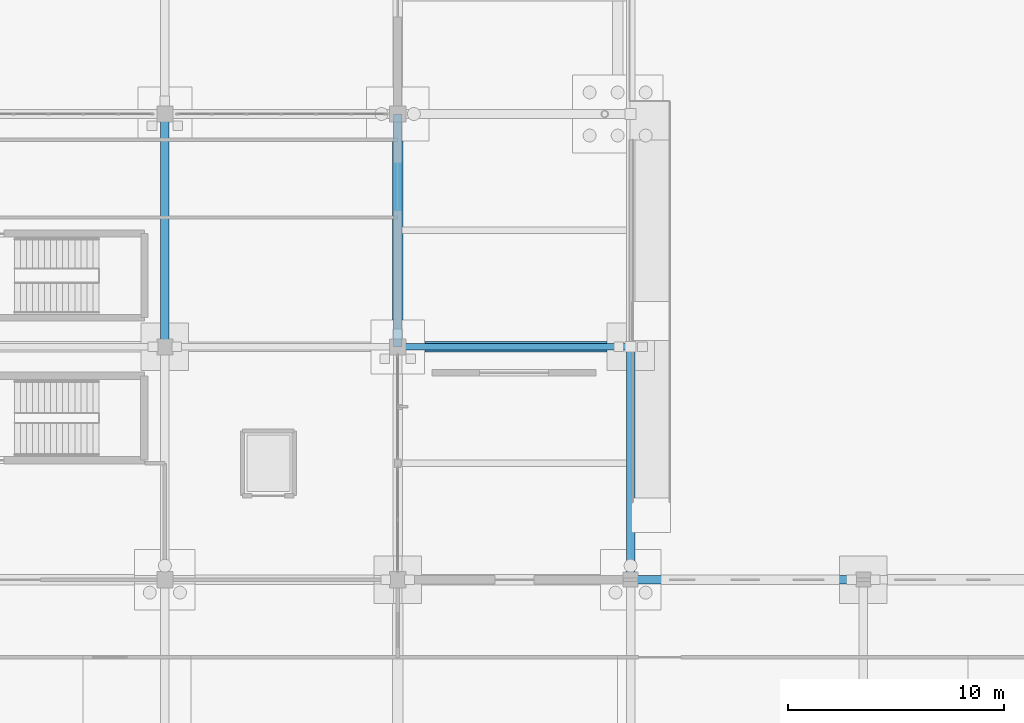
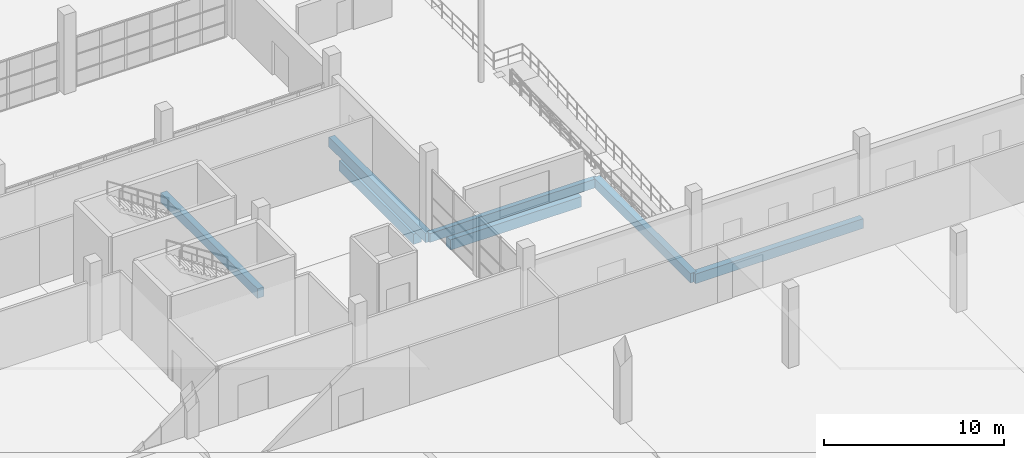
# One storey, part 66 of 138: 7 beams.
"""IFC4 building model written with IfcOpenShell, lengths in metres."""

from ifc_helpers import new_model, si_unit, direction, frame, origin, origin_2d, place, context, subcontext, project, spatial, rectangle, extrude, material, material_profile, profile_set, type_object, element, save


model = new_model("IFC4")

# Units and contexts
model_context = context("Model", 3, precision=1e-05, world=origin(), true_north=direction((0.0, 1.0)))
body_context = subcontext(model_context, "Body", "Model", "MODEL_VIEW")
ifc_project = project(units=[si_unit("LENGTHUNIT", "METRE"), si_unit("AREAUNIT", "SQUARE_METRE"), si_unit("VOLUMEUNIT", "CUBIC_METRE"), si_unit("PLANEANGLEUNIT", "RADIAN"), si_unit("MASSUNIT", "GRAM", prefix="KILO")], contexts=[model_context])

# Site, building, storey
site_placement = place(None, origin())
site = spatial("IfcSite", under=ifc_project, at=site_placement, CompositionType="ELEMENT")
building_placement = place(site_placement, origin())
building = spatial("IfcBuilding", under=site, at=building_placement, Name="Zwinboog Wholesale Market", CompositionType="ELEMENT")
storey_placement = place(building_placement, origin())
storey = spatial("IfcBuildingStorey", under=building, at=storey_placement, Name="L00", CompositionType="ELEMENT", Elevation=0.0)

# Beams
ifc_material_1 = material(Name="Precast concrete C45/55", Category="concrete")
ifc_material_profile_1 = material_profile(ifc_material_1, rectangle(XDim=0.39990234375, YDim=0.64990234375, at=origin_2d()), Name="PC 400x650")
ifc_profile_set_1 = profile_set([ifc_material_profile_1], Name="Precast concrete C45/55")
beam_type_1 = type_object("IfcBeamType", Name="BT-05", PredefinedType="BEAM", material=ifc_profile_set_1)
beam_1_placement = place(storey_placement, frame((183.60009765625, 32.39990234375, -0.680908203125), z_axis=(1.0, 0.0, 0.0), x_axis=(0.0, 1.0, 0.0)))
element("IfcBeam", 1, at=beam_1_placement, inside=storey, type_object=beam_type_1, Name="BG-05 (BMG-L00-1836-0324-0052)", PredefinedType="BEAM", context=body_context, shape_type="SweptSolid", body=[
    extrude(rectangle(XDim=0.39990234375, YDim=0.64990234375, at=origin_2d()), origin(), (0.0, 0.0, 1.0), 10.7998046875),
])
for number, where, z_axis, x_axis, name in (
    (2, (162.0, 43.199951171875, -0.719970703125), (0.0, 1.0, 0.0), (-1.0, 0.0, 0.0), "BG-05 (BMG-L00-1620-0432-0369)"),
    (3, (172.800048828125, 43.199951171875, -0.719970703125), (0.0, 1.0, 0.0), (-1.0, 0.0, 0.0), "BG-05 (BMG-L00-1728-0432-0381)"),
    (4, (183.60009765625, 32.39990234375, -0.680908203125), (0.0, 1.0, 0.0), (-1.0, 0.0, 0.0), "BG-05 (BM-TER-L00-0024)"),
):
    element("IfcBeam", number, at=place(storey_placement, frame(where, z_axis=z_axis, x_axis=x_axis)), inside=storey, type_object=beam_type_1, Name=name, PredefinedType="BEAM", context=body_context, shape_type="SweptSolid", body=[
        extrude(rectangle(XDim=0.39990234375, YDim=0.64990234375, at=origin_2d()), origin(), (0.0, 0.0, 1.0), 10.800048828125),
    ])
ifc_material_profile_2 = material_profile(ifc_material_1, rectangle(XDim=0.300048828125, YDim=0.60009765625, at=origin_2d()), Name="PC 300x600")
ifc_profile_set_2 = profile_set([ifc_material_profile_2], Name="Precast concrete C45/55")
beam_type_2 = type_object("IfcBeamType", Name="BT-09", PredefinedType="SPANDREL", material=ifc_profile_set_2)
beam_2_placement = place(storey_placement, frame((172.800048828125, 43.199951171875, -0.695068359375), z_axis=(1.0, 0.0, 0.0), x_axis=(0.0, 1.0, 0.0)))
element("IfcBeam", 5, at=beam_2_placement, inside=storey, type_object=beam_type_2, Name="SP-02 (BM-TER-L00-0009)", PredefinedType="SPANDREL", context=body_context, shape_type="SweptSolid", body=[
    extrude(rectangle(XDim=0.300048828125, YDim=0.60009765625, at=origin_2d()), origin(), (0.0, 0.0, 1.0), 10.800048828125),
])
ifc_material_2 = material(Name="Concrete C35/45", Category="concrete")
ifc_material_profile_3 = material_profile(ifc_material_2, rectangle(XDim=0.5, YDim=0.699951171875, at=origin_2d()), Name="RC 500x700")
ifc_profile_set_3 = profile_set([ifc_material_profile_3], Name="Concrete C35/45")
beam_type_3 = type_object("IfcBeamType", Name="BT-12", PredefinedType="USERDEFINED", material=ifc_profile_set_3)
beam_3_placement = place(storey_placement, frame((174.054931640625, 43.199951171875, -1.550048828125), z_axis=(1.0, 0.0, 0.0), x_axis=(0.0, 1.0, 0.0)))
element("IfcBeam", 6, at=beam_3_placement, inside=storey, type_object=beam_type_3, Name="GB-01 (BM-GB-0049)", ObjectType="GROUND_BEAM", PredefinedType="USERDEFINED", context=body_context, shape_type="SweptSolid", body=[
    extrude(rectangle(XDim=0.5, YDim=0.699951171875, at=origin_2d()), origin(), (0.0, 0.0, 1.0), 8.440185546875),
])
beam_4_placement = place(storey_placement, frame((172.800048828125, 44.455078125, -1.550048828125), z_axis=(0.0, 1.0, 0.0), x_axis=(-1.0, 0.0, 0.0)))
element("IfcBeam", 7, at=beam_4_placement, inside=storey, type_object=beam_type_3, Name="GB-01 (BM-GB-0200)", ObjectType="GROUND_BEAM", PredefinedType="USERDEFINED", context=body_context, shape_type="SweptSolid", body=[
    extrude(rectangle(XDim=0.5, YDim=0.699951171875, at=origin_2d()), origin(), (0.0, 0.0, 1.0), 8.2900390625),
])

save(model, "model.ifc")
